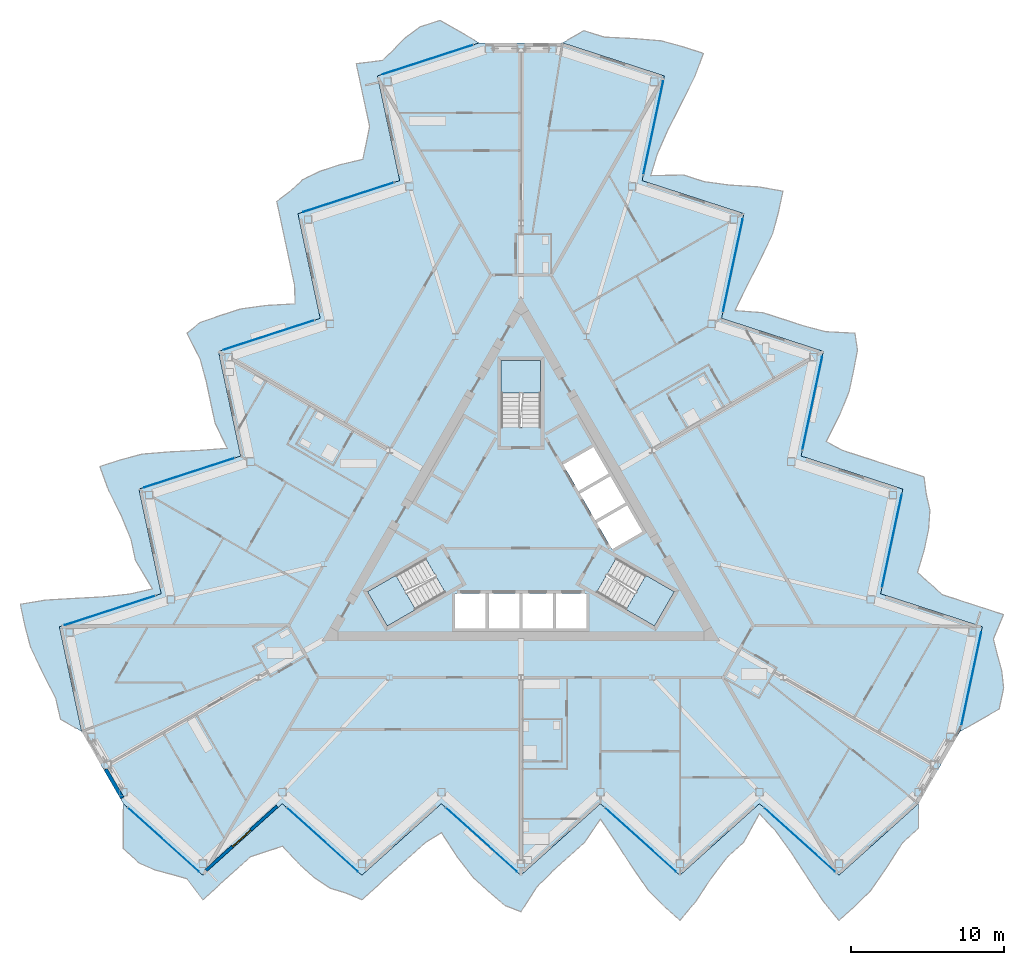
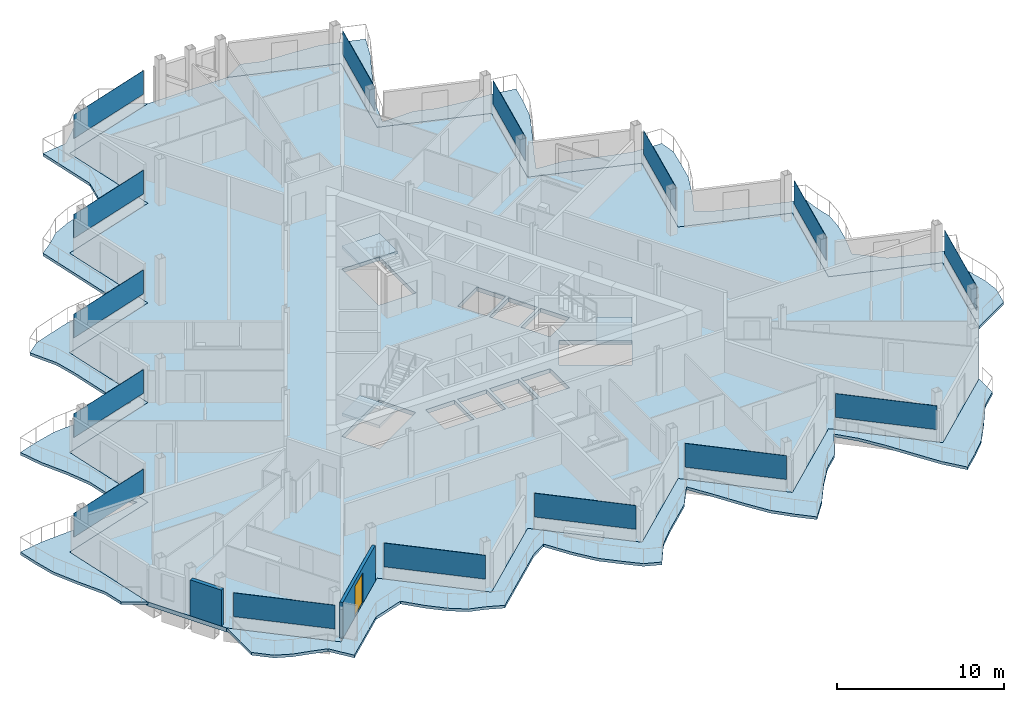
# One storey, part 12 of 27: 15 plates, 7 slabs, 2 walls, 1 door, 1 opening, 18 elements without a shape of their own.
"""IFC4 building model written with IfcOpenShell, lengths in metres."""

from ifc_helpers import new_model, si_unit, direction, frame, frame_2d, origin, origin_2d, place, context, subcontext, project, spatial, polyline, rectangle, outline, extrude, material, layer, layer_set, type_object, element, fill, aggregate, save


model = new_model("IFC4")

# Units and contexts
model_context = context("Model", 3, precision=1e-05, world=origin(), true_north=direction((0.0, 1.0)))
body_context = subcontext(model_context, "Body", "Model", "MODEL_VIEW")
ifc_project = project(units=[si_unit("LENGTHUNIT", "METRE"), si_unit("AREAUNIT", "SQUARE_METRE"), si_unit("VOLUMEUNIT", "CUBIC_METRE"), si_unit("PLANEANGLEUNIT", "RADIAN"), si_unit("MASSUNIT", "GRAM", prefix="KILO")], contexts=[model_context])

# Site, building, storey
site_placement = place(None, origin())
site = spatial("IfcSite", under=ifc_project, at=site_placement, CompositionType="ELEMENT")
building_placement = place(site_placement, origin())
building = spatial("IfcBuilding", under=site, at=building_placement, Name="Cormorant Prow Tower", CompositionType="ELEMENT")
storey_placement = place(building_placement, frame((0.0, 0.0, 361.0)))
storey = spatial("IfcBuildingStorey", under=building, at=storey_placement, Name="L80", CompositionType="ELEMENT", Elevation=361.0)

# Slabs
ifc_material_1 = material(Name="Concrete C40/50", Category="concrete")
ifc_layer_1 = layer(ifc_material_1, 0.199951171875)
ifc_layer_set_1 = layer_set([ifc_layer_1], Name="Concrete C40/50")
slab_type_1 = type_object("IfcSlabType", Name="Balcony slab 200", PredefinedType="FLOOR", material=ifc_layer_set_1)
slab_1_placement = place(storey_placement, frame((0.0, 0.0, -0.199951171875)))
element("IfcSlab", 1, at=slab_1_placement, inside=storey, type_object=slab_type_1, Name="Balcony slab S L80", PredefinedType="FLOOR", context=body_context, shape_type="SweptSolid", body=[
    extrude(outline(polyline([(-26.0, -18.1572265625), (-26.0, -21.107421875), (-24.9599609375, -22.043701171875), (-23.919921875, -22.498046875), (-22.8798828125, -22.769287109375), (-21.840087890625, -23.069091796875), (-20.800048828125, -24.439453125), (-19.760009765625, -23.5029296875), (-18.719970703125, -22.566650390625), (-17.679931640625, -21.630126953125), (-16.639892578125, -21.283203125), (-15.60009765625, -20.939453125), (-14.56005859375, -22.043701171875), (-13.52001953125, -22.980224609375), (-12.47998046875, -23.68115234375), (-11.43994140625, -24.002197265625), (-10.39990234375, -24.439453125), (-9.360107421875, -23.5029296875), (-8.320068359375, -22.566650390625), (-7.280029296875, -21.630126953125), (-6.239990234375, -20.69384765625), (-5.199951171875, -20.052001953125), (-4.159912109375, -21.64208984375), (-3.1201171875, -22.980224609375), (-2.080078125, -23.91650390625), (-1.0400390625, -24.818115234375), (0.0, -25.223876953125), (1.0400390625, -23.6142578125), (2.080078125, -22.566650390625), (3.1201171875, -21.630126953125), (4.159912109375, -20.69384765625), (5.199951171875, -19.167724609375), (6.239990234375, -20.69384765625), (7.280029296875, -22.308349609375), (8.320068359375, -23.811279296875), (9.360107421875, -24.85302734375), (10.39990234375, -25.78955078125), (11.43994140625, -24.54541015625), (12.47998046875, -22.974609375), (13.52001953125, -21.630126953125), (14.56005859375, -20.69384765625), (15.60009765625, -18.807373046875), (16.639892578125, -19.92236328125), (17.679931640625, -21.352783203125), (18.719970703125, -22.953369140625), (19.760009765625, -24.5283203125), (20.800048828125, -25.78955078125), (21.840087890625, -24.85302734375), (22.8798828125, -23.8251953125), (23.919921875, -22.32861328125), (24.9599609375, -20.714599609375), (26.0, -19.75732421875), (26.0, -18.1572265625), (24.9599609375, -19.09375), (23.919921875, -20.0302734375), (22.8798828125, -20.966552734375), (21.840087890625, -21.903076171875), (20.800048828125, -22.83935546875), (19.760009765625, -21.903076171875), (18.719970703125, -20.966552734375), (17.679931640625, -20.0302734375), (16.639892578125, -19.09375), (15.60009765625, -18.1572265625), (14.56005859375, -19.09375), (13.52001953125, -20.0302734375), (12.47998046875, -20.966552734375), (11.43994140625, -21.903076171875), (10.39990234375, -22.83935546875), (9.360107421875, -21.903076171875), (8.320068359375, -20.966552734375), (7.280029296875, -20.0302734375), (6.239990234375, -19.09375), (5.199951171875, -18.1572265625), (4.159912109375, -19.09375), (3.1201171875, -20.0302734375), (2.080078125, -20.966552734375), (1.0400390625, -21.903076171875), (0.0, -22.83935546875), (-1.0400390625, -21.903076171875), (-2.080078125, -20.966552734375), (-3.1201171875, -20.0302734375), (-4.159912109375, -19.09375), (-5.199951171875, -18.1572265625), (-6.239990234375, -19.09375), (-7.280029296875, -20.0302734375), (-8.320068359375, -20.966552734375), (-9.360107421875, -21.903076171875), (-10.39990234375, -22.83935546875), (-11.43994140625, -21.903076171875), (-12.47998046875, -20.966552734375), (-13.52001953125, -20.0302734375), (-14.56005859375, -19.09375), (-15.60009765625, -18.1572265625), (-16.639892578125, -19.09375), (-17.679931640625, -20.0302734375), (-18.719970703125, -20.966552734375), (-19.760009765625, -21.903076171875), (-20.800048828125, -22.83935546875), (-21.840087890625, -21.903076171875), (-22.8798828125, -20.966552734375), (-23.919921875, -20.0302734375), (-24.9599609375, -19.09375), (-26.0, -18.1572265625)])), origin(), (0.0, 0.0, 1.0), 0.199951171875),
])
slab_2_placement = place(storey_placement, frame((0.0, 0.0, -0.199951171875)))
element("IfcSlab", 2, at=slab_2_placement, inside=storey, type_object=slab_type_1, Name="Balcony slab ENE L80", PredefinedType="FLOOR", context=body_context, shape_type="SweptSolid", body=[
    extrude(outline(polyline([(28.724609375, -13.43798828125), (31.279541015625, -11.962890625), (31.570556640625, -10.593994140625), (31.44384765625, -9.46630859375), (31.158935546875, -8.429931640625), (30.8984375, -7.37939453125), (31.565185546875, -5.793701171875), (30.234130859375, -5.361083984375), (28.9033203125, -4.9287109375), (27.572265625, -4.496337890625), (26.751708984375, -3.76904296875), (25.93408203125, -3.040283203125), (26.370361328125, -1.58740234375), (26.661376953125, -0.218505859375), (26.748291015625, 1.032470703125), (26.506591796875, 2.09375), (26.365234375, 3.213134765625), (25.0341796875, 3.6455078125), (23.703369140625, 4.077880859375), (22.372314453125, 4.510498046875), (21.041259765625, 4.94287109375), (19.965576171875, 5.522705078125), (20.822509765625, 7.218505859375), (21.46142578125, 8.7880859375), (21.75244140625, 10.156982421875), (22.012939453125, 11.50830078125), (21.844482421875, 12.612060546875), (19.9306640625, 12.707763671875), (18.503173828125, 13.084716796875), (17.17236328125, 13.51708984375), (15.84130859375, 13.949462890625), (13.999755859375, 14.087158203125), (14.801513671875, 15.7509765625), (15.6796875, 17.458740234375), (16.461181640625, 19.111083984375), (16.84326171875, 20.532470703125), (17.13427734375, 21.9013671875), (15.537109375, 22.18017578125), (13.656494140625, 22.295166015625), (11.972412109375, 22.523681640625), (10.641357421875, 22.956298828125), (8.48779296875, 22.91357421875), (8.93310546875, 24.371826171875), (9.652099609375, 25.98779296875), (10.51806640625, 27.688720703125), (11.362060546875, 29.376708984375), (11.934326171875, 30.907958984375), (10.603271484375, 31.340576171875), (9.193115234375, 31.727294921875), (7.377197265625, 31.879638671875), (5.45947265625, 31.973388671875), (4.1103515625, 32.395263671875), (2.724609375, 31.59521484375), (4.0556640625, 31.162841796875), (5.38671875, 30.73046875), (6.717529296875, 30.2978515625), (8.048583984375, 29.865478515625), (9.379638671875, 29.43310546875), (9.088623046875, 28.064208984375), (8.797607421875, 26.6953125), (8.506591796875, 25.326416015625), (8.215576171875, 23.95751953125), (7.9248046875, 22.588623046875), (9.255615234375, 22.15625), (10.586669921875, 21.723876953125), (11.917724609375, 21.291259765625), (13.24853515625, 20.85888671875), (14.57958984375, 20.42626953125), (14.28857421875, 19.0576171875), (13.99755859375, 17.688720703125), (13.70654296875, 16.31982421875), (13.415771484375, 14.950927734375), (13.124755859375, 13.58203125), (14.45556640625, 13.149658203125), (15.78662109375, 12.717041015625), (17.11767578125, 12.28466796875), (18.448486328125, 11.852294921875), (19.779541015625, 11.419677734375), (19.488525390625, 10.05078125), (19.197509765625, 8.681884765625), (18.90673828125, 7.31298828125), (18.61572265625, 5.9443359375), (18.32470703125, 4.575439453125), (19.65576171875, 4.142822265625), (20.986572265625, 3.71044921875), (22.317626953125, 3.278076171875), (23.648681640625, 2.845458984375), (24.9794921875, 2.4130859375), (24.6884765625, 1.044189453125), (24.397705078125, -0.32470703125), (24.106689453125, -1.693603515625), (23.815673828125, -3.0625), (23.524658203125, -4.431396484375), (24.855712890625, -4.86376953125), (26.186767578125, -5.296142578125), (27.517578125, -5.728759765625), (28.8486328125, -6.1611328125), (30.179443359375, -6.593505859375), (29.888671875, -7.96240234375), (29.59765625, -9.331298828125), (29.306640625, -10.7001953125), (29.015625, -12.069091796875), (28.724609375, -13.43798828125)])), origin(), (0.0, 0.0, 1.0), 0.199951171875),
])
slab_3_placement = place(storey_placement, frame((0.0, 0.0, -0.199951171875)))
element("IfcSlab", 3, at=slab_3_placement, inside=storey, type_object=slab_type_1, Name="Balcony slab WNW L80", PredefinedType="FLOOR", context=body_context, shape_type="SweptSolid", body=[
    extrude(outline(polyline([(-2.724609375, 31.59521484375), (-5.279541015625, 33.0703125), (-6.6103515625, 32.637939453125), (-7.52392578125, 31.96435546875), (-8.27880859375, 31.19921875), (-9.05859375, 30.448486328125), (-10.76513671875, 30.233154296875), (-10.47412109375, 28.8642578125), (-10.183349609375, 27.495361328125), (-9.892333984375, 26.12646484375), (-10.11181640625, 25.05224609375), (-10.333984375, 23.979736328125), (-11.810546875, 23.631103515625), (-13.141357421875, 23.19873046875), (-14.268310546875, 22.6484375), (-15.066650390625, 21.908447265625), (-15.965087890625, 21.226318359375), (-15.67431640625, 19.857421875), (-15.38330078125, 18.488525390625), (-15.09228515625, 17.119873046875), (-14.80126953125, 15.7509765625), (-14.765625, 14.529296875), (-16.66259765625, 14.423828125), (-18.34130859375, 14.192138671875), (-19.67236328125, 13.759521484375), (-20.97314453125, 13.3095703125), (-21.844482421875, 12.612060546875), (-20.970703125, 10.906494140625), (-20.583251953125, 9.48193359375), (-20.292236328125, 8.113037109375), (-20.001220703125, 6.744140625), (-19.199951171875, 5.08056640625), (-21.04150390625, 4.94287109375), (-22.959716796875, 4.849609375), (-24.78125, 4.700439453125), (-26.203369140625, 4.320556640625), (-27.534423828125, 3.887939453125), (-26.97705078125, 2.365478515625), (-26.136474609375, 0.67919921875), (-25.4921875, -0.8935546875), (-25.201416015625, -2.262451171875), (-24.087646484375, -4.106201171875), (-25.5732421875, -4.449462890625), (-27.33203125, -4.635009765625), (-29.238037109375, -4.7353515625), (-31.1220703125, -4.8486328125), (-32.734375, -5.11865234375), (-32.443359375, -6.487548828125), (-32.0732421875, -7.902099609375), (-31.297119140625, -9.551025390625), (-30.41943359375, -11.2587890625), (-30.1103515625, -12.637939453125), (-28.724609375, -13.43798828125), (-29.015625, -12.069091796875), (-29.306640625, -10.7001953125), (-29.59765625, -9.331298828125), (-29.888671875, -7.96240234375), (-30.179443359375, -6.593505859375), (-28.8486328125, -6.1611328125), (-27.517578125, -5.728759765625), (-26.186767578125, -5.296142578125), (-24.855712890625, -4.86376953125), (-23.524658203125, -4.431396484375), (-23.815673828125, -3.0625), (-24.106689453125, -1.693603515625), (-24.397705078125, -0.32470703125), (-24.6884765625, 1.044189453125), (-24.9794921875, 2.4130859375), (-23.648681640625, 2.845458984375), (-22.317626953125, 3.278076171875), (-20.986572265625, 3.71044921875), (-19.65576171875, 4.142822265625), (-18.32470703125, 4.575439453125), (-18.61572265625, 5.9443359375), (-18.90673828125, 7.31298828125), (-19.197509765625, 8.681884765625), (-19.488525390625, 10.05078125), (-19.779541015625, 11.419677734375), (-18.448486328125, 11.852294921875), (-17.11767578125, 12.28466796875), (-15.78662109375, 12.717041015625), (-14.45556640625, 13.149658203125), (-13.124755859375, 13.58203125), (-13.415771484375, 14.950927734375), (-13.70654296875, 16.31982421875), (-13.99755859375, 17.688720703125), (-14.28857421875, 19.0576171875), (-14.57958984375, 20.42626953125), (-13.24853515625, 20.85888671875), (-11.917724609375, 21.291259765625), (-10.586669921875, 21.723876953125), (-9.255615234375, 22.15625), (-7.9248046875, 22.588623046875), (-8.215576171875, 23.95751953125), (-8.506591796875, 25.326416015625), (-8.797607421875, 26.6953125), (-9.088623046875, 28.064208984375), (-9.379638671875, 29.43310546875), (-8.048583984375, 29.865478515625), (-6.717529296875, 30.2978515625), (-5.38671875, 30.73046875), (-4.0556640625, 31.162841796875), (-2.724609375, 31.59521484375)])), origin(), (0.0, 0.0, 1.0), 0.199951171875),
])
ifc_material_2 = material(Name="Concrete C40/50", Category="concrete")
ifc_layer_2 = layer(ifc_material_2, 0.300048828125)
ifc_layer_set_2 = layer_set([ifc_layer_2], Name="Concrete C40/50")
slab_type_2 = type_object("IfcSlabType", Name="Post-tensioned flat slab 300", PredefinedType="FLOOR", material=ifc_layer_set_2)
slab_4_placement = place(storey_placement, frame((0.0, 0.0, -0.300048828125)))
element("IfcSlab", 4, at=slab_4_placement, inside=storey, type_object=slab_type_2, Name="Floor slab L80", PredefinedType="FLOOR", context=body_context, shape_type="SweptSolid", body=[
    extrude(outline(polyline([(-7.9248046875, 22.588623046875), (-14.57958984375, 20.42626953125), (-13.124755859375, 13.58203125), (-19.779541015625, 11.419677734375), (-18.32470703125, 4.575439453125), (-24.9794921875, 2.4130859375), (-23.524658203125, -4.431396484375), (-30.179443359375, -6.593505859375), (-28.724609375, -13.43798828125), (-27.3623046875, -15.797607421875), (-26.0, -18.1572265625), (-20.800048828125, -22.83935546875), (-15.60009765625, -18.1572265625), (-10.39990234375, -22.83935546875), (-5.199951171875, -18.1572265625), (0.0, -22.83935546875), (5.199951171875, -18.1572265625), (10.39990234375, -22.83935546875), (15.60009765625, -18.1572265625), (20.800048828125, -22.83935546875), (26.0, -18.1572265625), (27.3623046875, -15.797607421875), (28.724609375, -13.43798828125), (30.179443359375, -6.593505859375), (23.524658203125, -4.431396484375), (24.9794921875, 2.4130859375), (18.32470703125, 4.575439453125), (19.779541015625, 11.419677734375), (13.124755859375, 13.58203125), (14.57958984375, 20.42626953125), (7.9248046875, 22.588623046875), (9.379638671875, 29.43310546875), (2.724609375, 31.59521484375), (0.0, 31.59521484375), (-2.724609375, 31.59521484375), (-9.379638671875, 29.43310546875), (-7.9248046875, 22.588623046875)]), holes=[polyline([(-4.300048828125, -4.39990234375), (-2.300048828125, -4.39990234375), (-2.300048828125, -6.699951171875), (-4.300048828125, -6.699951171875), (-4.300048828125, -4.39990234375)]), polyline([(-0.10009765625, -4.39990234375), (-0.10009765625, -6.699951171875), (-2.10009765625, -6.699951171875), (-2.10009765625, -4.39990234375), (-0.10009765625, -4.39990234375)]), polyline([(2.10009765625, -6.699951171875), (0.10009765625, -6.699951171875), (0.10009765625, -4.39990234375), (2.10009765625, -4.39990234375), (2.10009765625, -6.699951171875)]), polyline([(2.300048828125, -6.699951171875), (2.300048828125, -4.39990234375), (4.300048828125, -4.39990234375), (4.300048828125, -6.699951171875), (2.300048828125, -6.699951171875)]), polyline([(5.96044921875, -1.52392578125), (4.96044921875, 0.2080078125), (6.952392578125, 1.358154296875), (7.952392578125, -0.373779296875), (5.96044921875, -1.52392578125)]), polyline([(3.860595703125, 2.11328125), (5.852294921875, 3.263427734375), (6.852294921875, 1.53125), (4.860595703125, 0.38134765625), (3.860595703125, 2.11328125)]), polyline([(4.75244140625, 5.168701171875), (5.75244140625, 3.4365234375), (3.760498046875, 2.28662109375), (2.760498046875, 4.018798828125), (4.75244140625, 5.168701171875)]), polyline([(-4.947509765625, -4.3505859375), (-8.738037109375, -6.5390625), (-10.031982421875, -4.2978515625), (-6.241455078125, -2.109375), (-4.947509765625, -4.3505859375)]), polyline([(10.031982421875, -4.2978515625), (8.738037109375, -6.5390625), (4.947509765625, -4.3505859375), (6.241455078125, -2.109375), (10.031982421875, -4.2978515625)]), polyline([(1.2939453125, 10.8369140625), (1.2939453125, 6.459716796875), (-1.2939453125, 6.459716796875), (-1.2939453125, 10.8369140625), (1.2939453125, 10.8369140625)])]), origin(), (0.0, 0.0, 1.0), 0.300048828125),
])

# Curtain wall, plate
ifc_material_3 = material(Name="Aluminium 6063-T6", Category="aluminium")
ifc_layer_3 = layer(ifc_material_3, 0.159912109375)
ifc_layer_set_3 = layer_set([ifc_layer_3], Name="Aluminium 6063-T6")
curtain_wall_type = type_object("IfcCurtainWallType", Name="Residential unitised curtain wall 160", PredefinedType="NOTDEFINED", material=ifc_layer_set_3)
curtain_wall_1_placement = place(storey_placement, origin())
curtain_wall_1 = element("IfcCurtainWall", 5, at=curtain_wall_1_placement, inside=storey, type_object=curtain_wall_type, Name="Residential curtain wall S00", PredefinedType="NOTDEFINED")
ifc_material_4 = material(Name="Clear glass", Category="glass")
ifc_layer_4 = layer(ifc_material_4, 0.02392578125)
ifc_layer_set_4 = layer_set([ifc_layer_4], Name="Clear glass")
plate_type = type_object("IfcPlateType", Name="Residential glass panel 24", PredefinedType="CURTAIN_PANEL", material=ifc_layer_set_4)
plate_1_placement = place(storey_placement, frame((-23.38134765625, -20.51513671875, 0.89990234375), z_axis=(0.0, 0.0, 1.0), x_axis=(0.743144756574, -0.669130682884, 0.0)))
plate_1 = element("IfcPlate", 6, at=plate_1_placement, type_object=plate_type, Name="Residential glass panel S00", PredefinedType="CURTAIN_PANEL", context=body_context, shape_type="SweptSolid", body=[
    extrude(rectangle(XDim=6.21533203125, YDim=0.02392578125, at=origin_2d()), origin(), (0.0, 0.0, 1.0), 1.73388671875),
])
aggregate(curtain_wall_1, [plate_1])

curtain_wall_2_placement = place(storey_placement, origin())
curtain_wall_2 = element("IfcCurtainWall", 7, at=curtain_wall_2_placement, inside=storey, type_object=curtain_wall_type, Name="Residential curtain wall S02", PredefinedType="NOTDEFINED")
plate_2_placement = place(storey_placement, frame((-12.9814453125, -20.51513671875, 0.89990234375), z_axis=(0.0, 0.0, 1.0), x_axis=(0.743144756574, -0.669130682884, 0.0)))
plate_2 = element("IfcPlate", 8, at=plate_2_placement, type_object=plate_type, Name="Residential glass panel S02", PredefinedType="CURTAIN_PANEL", context=body_context, shape_type="SweptSolid", body=[
    extrude(rectangle(XDim=6.21533203125, YDim=0.02392578125, at=origin_2d()), origin(), (0.0, 0.0, 1.0), 1.73388671875),
])
aggregate(curtain_wall_2, [plate_2])

curtain_wall_3_placement = place(storey_placement, origin())
curtain_wall_3 = element("IfcCurtainWall", 9, at=curtain_wall_3_placement, inside=storey, type_object=curtain_wall_type, Name="Residential curtain wall S04", PredefinedType="NOTDEFINED")
plate_3_placement = place(storey_placement, frame((-2.58154296875, -20.51513671875, 0.89990234375), z_axis=(0.0, 0.0, 1.0), x_axis=(0.743144756574, -0.669130682884, 0.0)))
plate_3 = element("IfcPlate", 10, at=plate_3_placement, type_object=plate_type, Name="Residential glass panel S04", PredefinedType="CURTAIN_PANEL", context=body_context, shape_type="SweptSolid", body=[
    extrude(rectangle(XDim=6.21533203125, YDim=0.02392578125, at=origin_2d()), origin(), (0.0, 0.0, 1.0), 1.73388671875),
])
aggregate(curtain_wall_3, [plate_3])

curtain_wall_4_placement = place(storey_placement, origin())
curtain_wall_4 = element("IfcCurtainWall", 11, at=curtain_wall_4_placement, inside=storey, type_object=curtain_wall_type, Name="Residential curtain wall S06", PredefinedType="NOTDEFINED")
plate_4_placement = place(storey_placement, frame((7.818603515625, -20.51513671875, 0.89990234375), z_axis=(0.0, 0.0, 1.0), x_axis=(0.743144756574, -0.669130682884, 0.0)))
plate_4 = element("IfcPlate", 12, at=plate_4_placement, type_object=plate_type, Name="Residential glass panel S06", PredefinedType="CURTAIN_PANEL", context=body_context, shape_type="SweptSolid", body=[
    extrude(rectangle(XDim=6.21533203125, YDim=0.02392578125, at=origin_2d()), origin(), (0.0, 0.0, 1.0), 1.73388671875),
])
aggregate(curtain_wall_4, [plate_4])

curtain_wall_5_placement = place(storey_placement, origin())
curtain_wall_5 = element("IfcCurtainWall", 13, at=curtain_wall_5_placement, inside=storey, type_object=curtain_wall_type, Name="Residential curtain wall S08", PredefinedType="NOTDEFINED")
plate_5_placement = place(storey_placement, frame((18.218505859375, -20.51513671875, 0.89990234375), z_axis=(0.0, 0.0, 1.0), x_axis=(0.743144756574, -0.669130682884, 0.0)))
plate_5 = element("IfcPlate", 14, at=plate_5_placement, type_object=plate_type, Name="Residential glass panel S08", PredefinedType="CURTAIN_PANEL", context=body_context, shape_type="SweptSolid", body=[
    extrude(rectangle(XDim=6.21533203125, YDim=0.02392578125, at=origin_2d()), origin(), (0.0, 0.0, 1.0), 1.73388671875),
])
aggregate(curtain_wall_5, [plate_5])

curtain_wall_6_placement = place(storey_placement, origin())
curtain_wall_6 = element("IfcCurtainWall", 15, at=curtain_wall_6_placement, inside=storey, type_object=curtain_wall_type, Name="Residential curtain wall ENE00", PredefinedType="NOTDEFINED")
plate_6_placement = place(storey_placement, frame((29.457275390625, -9.991455078125, 0.89990234375), z_axis=(0.0, 0.0, 1.0), x_axis=(0.207911756835, 0.978147586701, 0.0)))
plate_6 = element("IfcPlate", 16, at=plate_6_placement, type_object=plate_type, Name="Residential glass panel ENE00", PredefinedType="CURTAIN_PANEL", context=body_context, shape_type="SweptSolid", body=[
    extrude(rectangle(XDim=6.21533203125, YDim=0.02392578125, at=origin_2d()), origin(), (0.0, 0.0, 1.0), 1.73388671875),
])
aggregate(curtain_wall_6, [plate_6])

curtain_wall_7_placement = place(storey_placement, origin())
curtain_wall_7 = element("IfcCurtainWall", 17, at=curtain_wall_7_placement, inside=storey, type_object=curtain_wall_type, Name="Residential curtain wall ENE02", PredefinedType="NOTDEFINED")
plate_7_placement = place(storey_placement, frame((24.25732421875, -0.984619140625, 0.89990234375), z_axis=(0.0, 0.0, 1.0), x_axis=(0.207911785891, 0.978147580525, 0.0)))
plate_7 = element("IfcPlate", 18, at=plate_7_placement, type_object=plate_type, Name="Residential glass panel ENE02", PredefinedType="CURTAIN_PANEL", context=body_context, shape_type="SweptSolid", body=[
    extrude(rectangle(XDim=6.21533203125, YDim=0.02392578125, at=origin_2d()), origin(), (0.0, 0.0, 1.0), 1.73388671875),
])
aggregate(curtain_wall_7, [plate_7])

curtain_wall_8_placement = place(storey_placement, origin())
curtain_wall_8 = element("IfcCurtainWall", 19, at=curtain_wall_8_placement, inside=storey, type_object=curtain_wall_type, Name="Residential curtain wall ENE04", PredefinedType="NOTDEFINED")
plate_8_placement = place(storey_placement, frame((19.057373046875, 8.02197265625, 0.89990234375), z_axis=(0.0, 0.0, 1.0), x_axis=(0.207911756835, 0.978147586701, 0.0)))
plate_8 = element("IfcPlate", 20, at=plate_8_placement, type_object=plate_type, Name="Residential glass panel ENE04", PredefinedType="CURTAIN_PANEL", context=body_context, shape_type="SweptSolid", body=[
    extrude(rectangle(XDim=6.21533203125, YDim=0.02392578125, at=origin_2d()), origin(), (0.0, 0.0, 1.0), 1.73388671875),
])
aggregate(curtain_wall_8, [plate_8])

curtain_wall_9_placement = place(storey_placement, origin())
curtain_wall_9 = element("IfcCurtainWall", 21, at=curtain_wall_9_placement, inside=storey, type_object=curtain_wall_type, Name="Residential curtain wall ENE06", PredefinedType="NOTDEFINED")
plate_9_placement = place(storey_placement, frame((13.857421875, 17.028564453125, 0.89990234375), z_axis=(0.0, 0.0, 1.0), x_axis=(0.207911756835, 0.978147586701, 0.0)))
plate_9 = element("IfcPlate", 22, at=plate_9_placement, type_object=plate_type, Name="Residential glass panel ENE06", PredefinedType="CURTAIN_PANEL", context=body_context, shape_type="SweptSolid", body=[
    extrude(rectangle(XDim=6.21533203125, YDim=0.02392578125, at=origin_2d()), origin(), (0.0, 0.0, 1.0), 1.73388671875),
])
aggregate(curtain_wall_9, [plate_9])

curtain_wall_10_placement = place(storey_placement, origin())
curtain_wall_10 = element("IfcCurtainWall", 23, at=curtain_wall_10_placement, inside=storey, type_object=curtain_wall_type, Name="Residential curtain wall ENE08", PredefinedType="NOTDEFINED")
plate_10_placement = place(storey_placement, frame((8.6572265625, 26.035400390625, 0.89990234375), z_axis=(0.0, 0.0, 1.0), x_axis=(0.207911756835, 0.978147586701, 0.0)))
plate_10 = element("IfcPlate", 24, at=plate_10_placement, type_object=plate_type, Name="Residential glass panel ENE08", PredefinedType="CURTAIN_PANEL", context=body_context, shape_type="SweptSolid", body=[
    extrude(rectangle(XDim=6.21533203125, YDim=0.02392578125, at=origin_2d()), origin(), (0.0, 0.0, 1.0), 1.73388671875),
])
aggregate(curtain_wall_10, [plate_10])

curtain_wall_11_placement = place(storey_placement, origin())
curtain_wall_11 = element("IfcCurtainWall", 25, at=curtain_wall_11_placement, inside=storey, type_object=curtain_wall_type, Name="Residential curtain wall WNW00", PredefinedType="NOTDEFINED")
plate_11_placement = place(storey_placement, frame((-6.075927734375, 30.50634765625, 0.89990234375), z_axis=(0.0, 0.0, 1.0), x_axis=(-0.951056548553, -0.309016895096, 0.0)))
plate_11 = element("IfcPlate", 26, at=plate_11_placement, type_object=plate_type, Name="Residential glass panel WNW00", PredefinedType="CURTAIN_PANEL", context=body_context, shape_type="SweptSolid", body=[
    extrude(rectangle(XDim=6.21533203125, YDim=0.02392578125, at=origin_2d()), origin(), (0.0, 0.0, 1.0), 1.73388671875),
])
aggregate(curtain_wall_11, [plate_11])

curtain_wall_12_placement = place(storey_placement, origin())
curtain_wall_12 = element("IfcCurtainWall", 27, at=curtain_wall_12_placement, inside=storey, type_object=curtain_wall_type, Name="Residential curtain wall WNW02", PredefinedType="NOTDEFINED")
plate_12_placement = place(storey_placement, frame((-11.27587890625, 21.499755859375, 0.89990234375), z_axis=(0.0, 0.0, 1.0), x_axis=(-0.951056506549, -0.309017024369, 0.0)))
plate_12 = element("IfcPlate", 28, at=plate_12_placement, type_object=plate_type, Name="Residential glass panel WNW02", PredefinedType="CURTAIN_PANEL", context=body_context, shape_type="SweptSolid", body=[
    extrude(rectangle(XDim=6.21533203125, YDim=0.02392578125, at=origin_2d()), origin(), (0.0, 0.0, 1.0), 1.73388671875),
])
aggregate(curtain_wall_12, [plate_12])

curtain_wall_13_placement = place(storey_placement, origin())
curtain_wall_13 = element("IfcCurtainWall", 29, at=curtain_wall_13_placement, inside=storey, type_object=curtain_wall_type, Name="Residential curtain wall WNW04", PredefinedType="NOTDEFINED")
plate_13_placement = place(storey_placement, frame((-16.475830078125, 12.4931640625, 0.89990234375), z_axis=(0.0, 0.0, 1.0), x_axis=(-0.951056548553, -0.309016895096, 0.0)))
plate_13 = element("IfcPlate", 30, at=plate_13_placement, type_object=plate_type, Name="Residential glass panel WNW04", PredefinedType="CURTAIN_PANEL", context=body_context, shape_type="SweptSolid", body=[
    extrude(rectangle(XDim=6.21533203125, YDim=0.02392578125, at=origin_2d()), origin(), (0.0, 0.0, 1.0), 1.73388671875),
])
aggregate(curtain_wall_13, [plate_13])

curtain_wall_14_placement = place(storey_placement, origin())
curtain_wall_14 = element("IfcCurtainWall", 31, at=curtain_wall_14_placement, inside=storey, type_object=curtain_wall_type, Name="Residential curtain wall WNW06", PredefinedType="NOTDEFINED")
plate_14_placement = place(storey_placement, frame((-21.676025390625, 3.486572265625, 0.89990234375), z_axis=(0.0, 0.0, 1.0), x_axis=(-0.951056506549, -0.309017024369, 0.0)))
plate_14 = element("IfcPlate", 32, at=plate_14_placement, type_object=plate_type, Name="Residential glass panel WNW06", PredefinedType="CURTAIN_PANEL", context=body_context, shape_type="SweptSolid", body=[
    extrude(rectangle(XDim=6.21533203125, YDim=0.02392578125, at=origin_2d()), origin(), (0.0, 0.0, 1.0), 1.73388671875),
])
aggregate(curtain_wall_14, [plate_14])

curtain_wall_15_placement = place(storey_placement, origin())
curtain_wall_15 = element("IfcCurtainWall", 33, at=curtain_wall_15_placement, inside=storey, type_object=curtain_wall_type, Name="Residential curtain wall WNW08", PredefinedType="NOTDEFINED")
plate_15_placement = place(storey_placement, frame((-26.8759765625, -5.520263671875, 0.89990234375), z_axis=(0.0, 0.0, 1.0), x_axis=(-0.951056506549, -0.309017024369, 0.0)))
plate_15 = element("IfcPlate", 34, at=plate_15_placement, type_object=plate_type, Name="Residential glass panel WNW08", PredefinedType="CURTAIN_PANEL", context=body_context, shape_type="SweptSolid", body=[
    extrude(rectangle(XDim=6.21533203125, YDim=0.02392578125, at=origin_2d()), origin(), (0.0, 0.0, 1.0), 1.73388671875),
])
aggregate(curtain_wall_15, [plate_15])

# Stair, slab
ifc_material_5 = material(Name="Exit stair 18 risers")
stair_type = type_object("IfcStairType", Name="Exit stair 18 risers", PredefinedType="HALF_TURN_STAIR", material=ifc_material_5)
stair_1_placement = place(storey_placement, origin())
stair_1 = element("IfcStair", 35, at=stair_1_placement, inside=storey, type_object=stair_type, Name="L80 Exit stair ST1", PredefinedType="HALF_TURN_STAIR")
ifc_material_6 = material(Name="Concrete 5000 psi", Category="concrete")
ifc_layer_5 = layer(ifc_material_6, 0.199951171875)
ifc_layer_set_5 = layer_set([ifc_layer_5], Name="Concrete 5000 psi")
slab_type_3 = type_object("IfcSlabType", Name="Stair landing 200", PredefinedType="LANDING", material=ifc_layer_set_5)
slab_5_placement = place(storey_placement, frame((0.0, 0.0, 1.5)))
slab_5 = element("IfcSlab", 36, at=slab_5_placement, type_object=slab_type_3, Name="ST1 landing 1", PredefinedType="LANDING", context=body_context, shape_type="SweptSolid", body=[
    extrude(outline(polyline([(-8.17431640625, -3.225341796875), (-10.031982421875, -4.2978515625), (-8.738037109375, -6.5390625), (-6.88037109375, -5.466552734375), (-8.17431640625, -3.225341796875)])), origin(), (0.0, 0.0, 1.0), 0.199951171875),
])
aggregate(stair_1, [slab_5])

stair_2_placement = place(storey_placement, origin())
stair_2 = element("IfcStair", 37, at=stair_2_placement, inside=storey, type_object=stair_type, Name="L80 Exit stair ST2", PredefinedType="HALF_TURN_STAIR")
slab_6_placement = place(storey_placement, frame((0.0, 0.0, 1.5)))
slab_6 = element("IfcSlab", 38, at=slab_6_placement, type_object=slab_type_3, Name="ST2 landing 1", PredefinedType="LANDING", context=body_context, shape_type="SweptSolid", body=[
    extrude(outline(polyline([(6.88037109375, -5.466552734375), (8.738037109375, -6.5390625), (10.031982421875, -4.2978515625), (8.17431640625, -3.225341796875), (6.88037109375, -5.466552734375)])), origin(), (0.0, 0.0, 1.0), 0.199951171875),
])
aggregate(stair_2, [slab_6])

stair_3_placement = place(storey_placement, origin())
stair_3 = element("IfcStair", 39, at=stair_3_placement, inside=storey, type_object=stair_type, Name="L80 Exit stair ST3", PredefinedType="HALF_TURN_STAIR")
slab_7_placement = place(storey_placement, frame((0.0, 0.0, 1.5)))
slab_7 = element("IfcSlab", 40, at=slab_7_placement, type_object=slab_type_3, Name="ST3 landing 1", PredefinedType="LANDING", context=body_context, shape_type="SweptSolid", body=[
    extrude(outline(polyline([(1.2939453125, 8.69189453125), (1.2939453125, 10.8369140625), (-1.2939453125, 10.8369140625), (-1.2939453125, 8.69189453125), (1.2939453125, 8.69189453125)])), origin(), (0.0, 0.0, 1.0), 0.199951171875),
])
aggregate(stair_3, [slab_7])

# Wall
ifc_material_7 = material(Name="Terracotta", Category="masonry")
ifc_layer_6 = layer(ifc_material_7, 0.25)
ifc_layer_set_6 = layer_set([ifc_layer_6], Name="Terracotta")
wall_type_1 = type_object("IfcWallType", Name="Terracotta bay wall 250", PredefinedType="SOLIDWALL", material=ifc_layer_set_6)
wall_1_placement = place(storey_placement, frame((-27.1533203125, -15.90966796875, 0.0), z_axis=(0.0, 0.0, 1.0), x_axis=(0.50000982419, -0.866019731711, 0.0)))
element("IfcWall", 41, at=wall_1_placement, inside=storey, type_object=wall_type_1, Name="Terracotta bay wall WSW01", PredefinedType="SOLIDWALL", context=body_context, shape_type="SweptSolid", body=[
    extrude(rectangle(XDim=2.1572265625, YDim=0.25, at=frame_2d((1.07861328125, 0.0))), origin(), (0.0, 0.0, 1.0), 2.6337890625),
])

# Wall, opening, door
ifc_material_8 = material(Name="Terracotta", Category="masonry")
ifc_layer_7 = layer(ifc_material_8, 0.199951171875)
ifc_layer_set_7 = layer_set([ifc_layer_7], Name="Terracotta")
wall_type_2 = type_object("IfcWallType", Name="Terracotta jamb wall 200", PredefinedType="SOLIDWALL", material=ifc_layer_set_7)
wall_2_placement = place(storey_placement, frame((-20.594970703125, -22.520263671875, 0.0), z_axis=(0.0, 0.0, 1.0), x_axis=(0.743137181878, 0.669139095339, 0.0)))
wall_2 = element("IfcWall", 42, at=wall_2_placement, inside=storey, type_object=wall_type_2, Name="Terracotta jamb wall S01", PredefinedType="SOLIDWALL", context=body_context, shape_type="SweptSolid", body=[
    extrude(rectangle(XDim=6.265380859375, YDim=0.199951171875, at=frame_2d((3.1328125, 0.0))), origin(), (0.0, 0.0, 1.0), 2.6337890625),
])
opening_placement = place(wall_2_placement, frame((2.332763671875, 0.0, 0.0)))
opening = element("IfcOpeningElement", 43, at=opening_placement, cuts=wall_2, Name="Opening ED80.01", PredefinedType="OPENING", context=body_context, shape_type="SweptSolid", body=[
    extrude(rectangle(XDim=1.60009765625, YDim=2.25, at=frame_2d((0.800048828125, 1.125))), frame((0.0, 0.10986328125, 0.0), z_axis=(0.0, -1.0, 0.0), x_axis=(1.0, 0.0, 0.0)), (0.0, 0.0, 1.0), 0.219970703125),
])
ifc_material_9 = material(Name="Aluminium 6063-T6", Category="aluminium")
door_type = type_object("IfcDoorType", Name="Balcony door 1600x2250", OperationType="DOUBLE_DOOR_SINGLE_SWING", PredefinedType="DOOR", material=ifc_material_9)
door_placement = place(opening_placement, origin())
door = element("IfcDoor", 44, at=door_placement, inside=storey, type_object=door_type, Name="Balcony door S01 ED80.01", OperationType="DOUBLE_DOOR_SINGLE_SWING", OverallHeight=2.25, OverallWidth=1.60009765625, PredefinedType="DOOR", context=body_context, shape_type="SweptSolid", body=[
    extrude(rectangle(XDim=1.60009765625, YDim=2.25, at=frame_2d((0.800048828125, 1.125))), frame((0.0, 0.02490234375, 0.0), z_axis=(0.0, -1.0, 0.0), x_axis=(1.0, 0.0, 0.0)), (0.0, 0.0, 1.0), 0.050048828125),
])
fill(opening, door)

save(model, "model.ifc")
